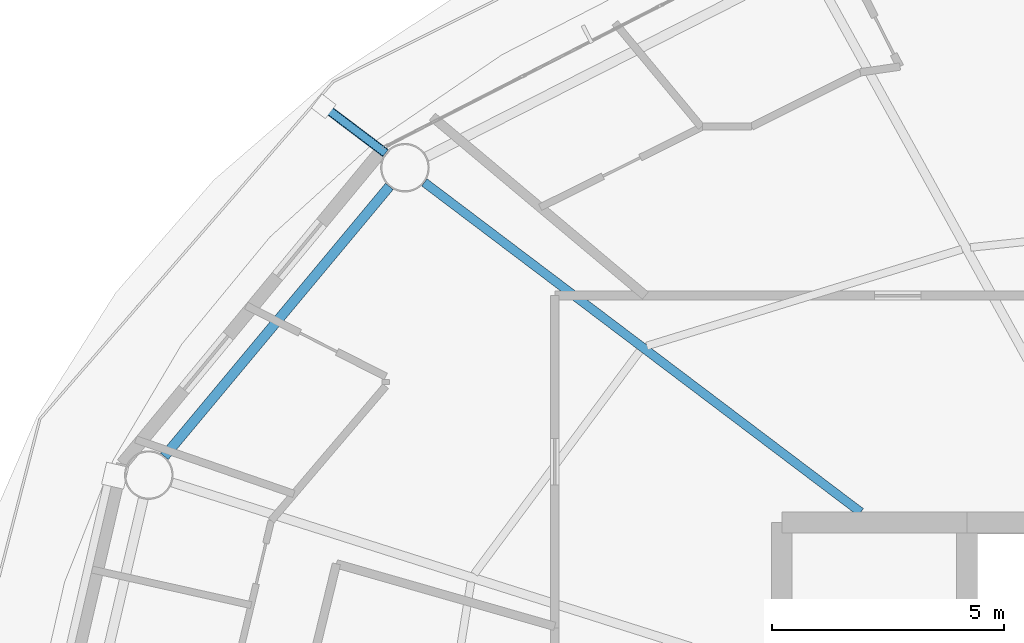
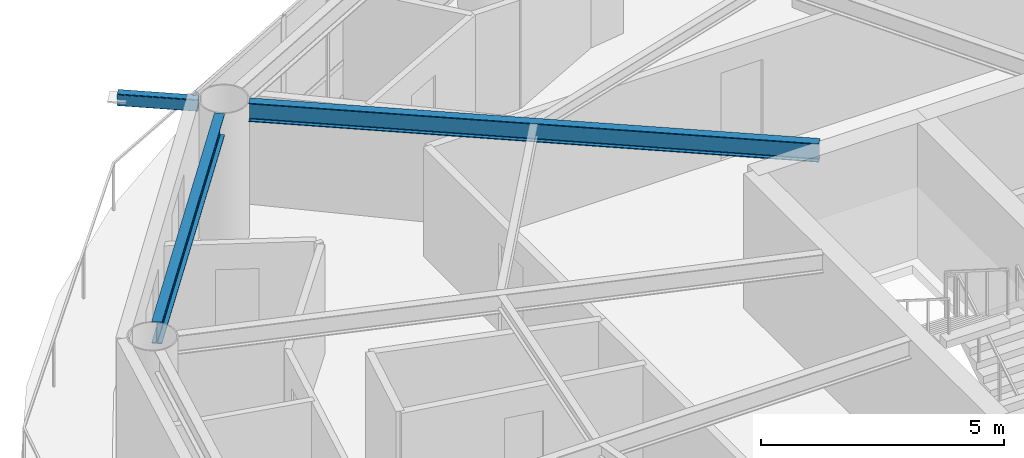
# One storey, part 10 of 29: 2 beams, 1 member.
"""IFC4 building model written with IfcOpenShell, lengths in metres."""

from ifc_helpers import new_model, si_unit, direction, frame, origin, origin_2d, place, context, subcontext, project, spatial, hollow_rectangle, i_section, extrude, material, material_profile, profile_set, type_object, element, save


model = new_model("IFC4")

# Units and contexts
model_context = context("Model", 3, precision=1e-05, world=origin(), true_north=direction((0.0, 1.0)))
body_context = subcontext(model_context, "Body", "Model", "MODEL_VIEW")
ifc_project = project(units=[si_unit("LENGTHUNIT", "METRE"), si_unit("AREAUNIT", "SQUARE_METRE"), si_unit("VOLUMEUNIT", "CUBIC_METRE"), si_unit("PLANEANGLEUNIT", "RADIAN"), si_unit("MASSUNIT", "GRAM", prefix="KILO")], contexts=[model_context])

# Site, building, storey
site_placement = place(None, origin())
site = spatial("IfcSite", under=ifc_project, at=site_placement, CompositionType="ELEMENT")
building_placement = place(site_placement, origin())
building = spatial("IfcBuilding", under=site, at=building_placement, Name="Sarneth Arch Tower", CompositionType="ELEMENT")
storey_placement = place(building_placement, frame((0.0, 0.0, 175.800048828125)))
storey = spatial("IfcBuildingStorey", under=building, at=storey_placement, Name="L44", CompositionType="ELEMENT", Elevation=175.800048828125)

# Beams
ifc_material_1 = material(Name="Steel S355", Category="steel")
ifc_material_profile_1 = material_profile(ifc_material_1, i_section(OverallWidth=0.193115234375, OverallDepth=0.466064453125, WebThickness=0.011474609375, FlangeThickness=0.01904296875, FilletRadius=0.01806640625, at=origin_2d()), Name="W460x97")
ifc_profile_set_1 = profile_set([ifc_material_profile_1], Name="Steel S355")
beam_type_1 = type_object("IfcBeamType", Name="BM-RAD-460C", PredefinedType="BEAM", material=ifc_profile_set_1)
beam_1_placement = place(storey_placement, frame((38.70458984375, 49.02490234375, 3.14697265625), z_axis=(-0.797786205076, 0.602940437349, 0.0), x_axis=(-0.602940437349, -0.797786205076, 0.0)))
element("IfcBeam", 1, at=beam_1_placement, inside=storey, type_object=beam_type_1, Name="L44 Radial floor girder 07", PredefinedType="BEAM", context=body_context, shape_type="SweptSolid", body=[
    extrude(i_section(OverallWidth=0.193115234375, OverallDepth=0.466064453125, WebThickness=0.011474609375, FlangeThickness=0.01904296875, FilletRadius=0.01806640625, at=origin_2d()), origin(), (0.0, 0.0, 1.0), 11.806884765625),
])
ifc_material_2 = material(Name="Steel S355", Category="steel")
ifc_material_profile_2 = material_profile(ifc_material_2, i_section(OverallWidth=0.214111328125, OverallDepth=0.549072265625, WebThickness=0.0146484375, FlangeThickness=0.023681640625, FilletRadius=0.01806640625, at=origin_2d()), Name="W530x138")
ifc_profile_set_2 = profile_set([ifc_material_profile_2], Name="Steel S355")
beam_type_2 = type_object("IfcBeamType", Name="BM-RAD-530A", PredefinedType="BEAM", material=ifc_profile_set_2)
beam_2_placement = place(storey_placement, frame((28.530029296875, 56.056884765625, 3.10546875), z_axis=(-0.640171737024, -0.768231831621, 0.0), x_axis=(0.768231831621, -0.640171737024, 0.0)))
element("IfcBeam", 2, at=beam_2_placement, inside=storey, type_object=beam_type_2, Name="L44 Perimeter spandrel beam 07", PredefinedType="BEAM", context=body_context, shape_type="SweptSolid", body=[
    extrude(i_section(OverallWidth=0.214111328125, OverallDepth=0.549072265625, WebThickness=0.0146484375, FlangeThickness=0.023681640625, FilletRadius=0.01806640625, at=origin_2d()), origin(), (0.0, 0.0, 1.0), 7.585693359375),
])

# Member
ifc_material_3 = material(Name="Steel S355", Category="steel")
ifc_material_profile_3 = material_profile(ifc_material_3, hollow_rectangle(XDim=0.199951171875, YDim=0.300048828125, WallThickness=0.012451171875, InnerFilletRadius=0.018798828125, OuterFilletRadius=0.03125, at=origin_2d()), Name="RHS300x200x12.5")
ifc_profile_set_3 = profile_set([ifc_material_profile_3], Name="Steel S355")
member_type = type_object("IfcMemberType", Name="MEM-CANT-STRUT", PredefinedType="STRUT", material=ifc_profile_set_3)
member_placement = place(storey_placement, frame((28.447265625, 56.77685546875, 3.219970703125), z_axis=(-0.797770611559, 0.602961069501, 0.0), x_axis=(-0.602961069501, -0.797770611559, 0.0)))
element("IfcMember", 3, at=member_placement, inside=storey, type_object=member_type, Name="L44 Balcony cantilever bracket 07", PredefinedType="STRUT", context=body_context, shape_type="SweptSolid", body=[
    extrude(hollow_rectangle(XDim=0.199951171875, YDim=0.300048828125, WallThickness=0.012451171875, InnerFilletRadius=0.018798828125, OuterFilletRadius=0.03125, at=origin_2d()), origin(), (0.0, 0.0, 1.0), 1.673095703125),
])

save(model, "model.ifc")
